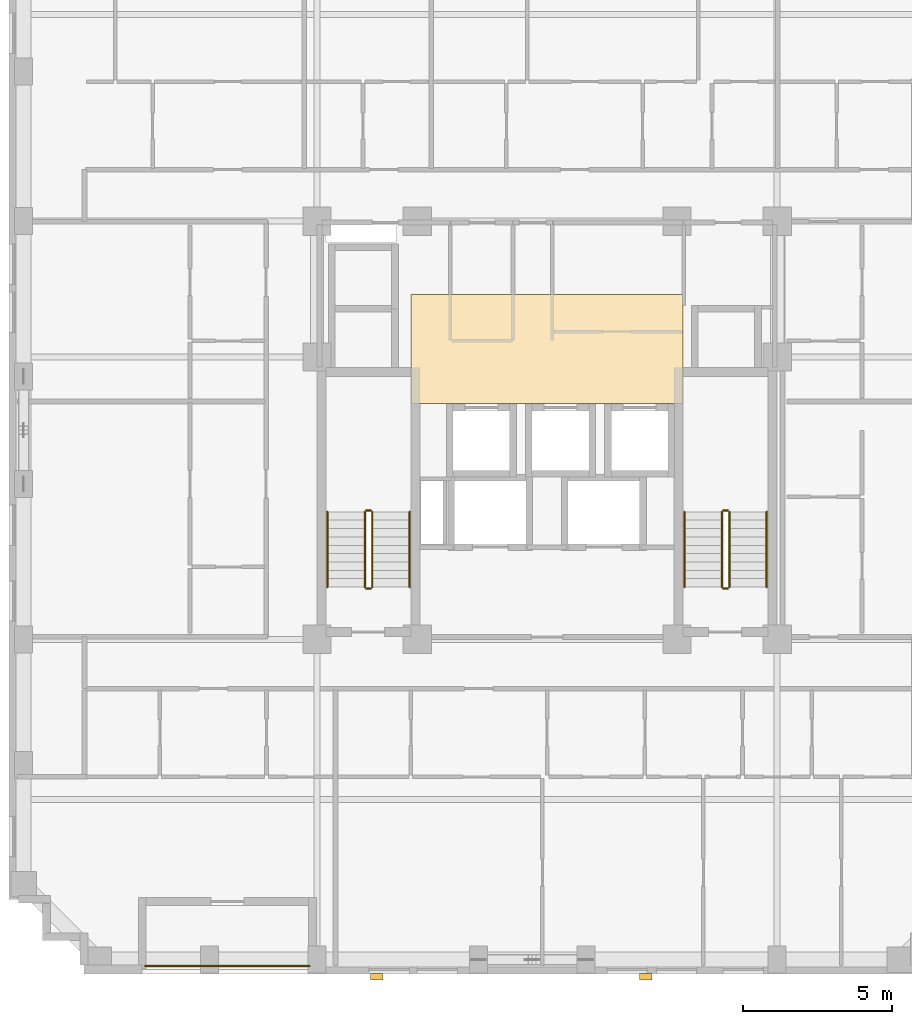
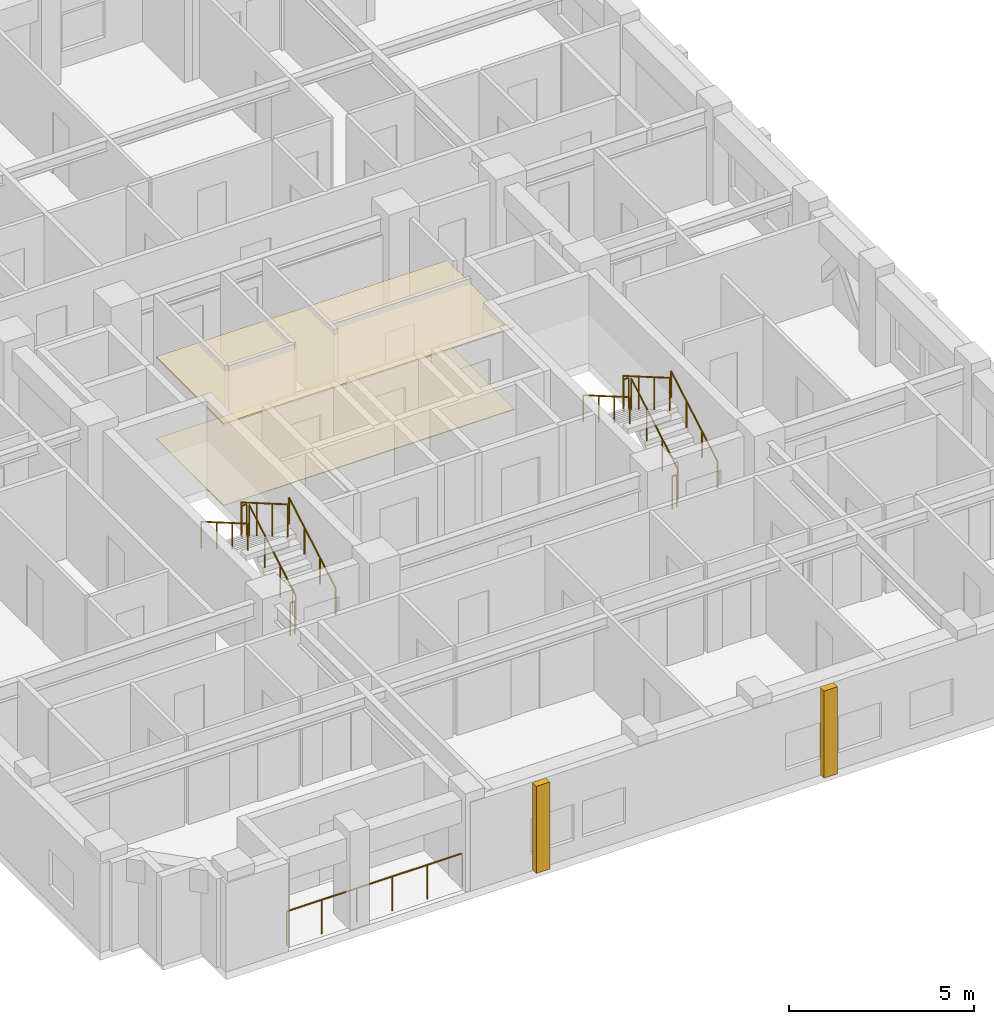
# One storey, part 10 of 11: 13 railings, 4 coverings.
"""IFC4 building model written with IfcOpenShell, lengths in metres."""

from ifc_helpers import new_model, si_unit, derived_unit, direction, frame, origin, origin_2d, place, context, subcontext, project, spatial, polyline, rectangle, circle, outline, extrude, material, layer, layer_set, type_object, element, save


model = new_model("IFC4")

# Units and contexts
model_context = context("Model", 3, precision=1e-05, world=origin(), true_north=direction((0.0, 1.0)))
body_context = subcontext(model_context, "Body", "Model", "MODEL_VIEW")
ifc_project = project(units=[si_unit("LENGTHUNIT", "METRE"), si_unit("AREAUNIT", "SQUARE_METRE"), si_unit("VOLUMEUNIT", "CUBIC_METRE"), si_unit("PLANEANGLEUNIT", "RADIAN"), si_unit("MASSUNIT", "GRAM", prefix="KILO"), derived_unit("THERMALTRANSMITTANCEUNIT", [(si_unit("MASSUNIT", "GRAM", prefix="KILO"), 1), (si_unit("TIMEUNIT", "SECOND"), -3), (si_unit("THERMODYNAMICTEMPERATUREUNIT", "KELVIN"), -1)])], contexts=[model_context])

# Site, building, storey
site_placement = place(None, origin())
site = spatial("IfcSite", under=ifc_project, at=site_placement, CompositionType="ELEMENT")
building_placement = place(site_placement, origin())
building = spatial("IfcBuilding", under=site, at=building_placement, Name="Korrvale Station Residences", CompositionType="ELEMENT")
storey_placement = place(building_placement, frame((0.0, 0.0, 166.64990234375)))
storey = spatial("IfcBuildingStorey", under=building, at=storey_placement, Name="L48", CompositionType="ELEMENT", Elevation=166.64990234375)

# Coverings
ifc_material_1 = material(Name="Perforated acoustic mineral-fibre suspended ceiling", Category="gypsum")
ifc_layer_1 = layer(ifc_material_1, 0.050048828125, Name="Perforated acoustic mineral-fibre suspended ceiling")
ifc_layer_set_1 = layer_set([ifc_layer_1], Name="Perforated acoustic mineral-fibre suspended ceiling")
covering_type_1 = type_object("IfcCoveringType", Name="COV-CLG-AC60", PredefinedType="CEILING", material=ifc_layer_set_1)
covering_1_placement = place(storey_placement, frame((0.0, 0.0, 2.68017578125)))
element("IfcCovering", 1, at=covering_1_placement, inside=storey, type_object=covering_type_1, Name="L48 Elevator Lobby Acoustic Ceiling", PredefinedType="CEILING", context=body_context, shape_type="SweptSolid", body=[
    extrude(outline(polyline([(20.949951171875, 22.89990234375), (30.050048828125, 22.89990234375), (30.050048828125, 26.550048828125), (20.949951171875, 26.550048828125), (20.949951171875, 22.89990234375)])), origin(), (0.0, 0.0, 1.0), 0.0498046875),
])
ifc_material_2 = material(Name="Polished quartz-terrazzo lobby flooring", Category="masonry")
ifc_layer_2 = layer(ifc_material_2, 0.02001953125, Name="Polished quartz-terrazzo lobby flooring")
ifc_layer_set_2 = layer_set([ifc_layer_2], Name="Polished quartz-terrazzo lobby flooring")
covering_type_2 = type_object("IfcCoveringType", Name="COV-FLR-TER20", PredefinedType="FLOORING", material=ifc_layer_set_2)
covering_2_placement = place(storey_placement, origin())
element("IfcCovering", 2, at=covering_2_placement, inside=storey, type_object=covering_type_2, Name="L48 Elevator Lobby Terrazzo Flooring", PredefinedType="FLOORING", context=body_context, shape_type="SweptSolid", body=[
    extrude(outline(polyline([(20.949951171875, 22.89990234375), (30.050048828125, 22.89990234375), (30.050048828125, 26.550048828125), (20.949951171875, 26.550048828125), (20.949951171875, 22.89990234375)])), origin(), (0.0, 0.0, 1.0), 0.02001953125),
])
ifc_material_3 = material(Name="Architectural precast concrete C45/55", Category="concrete")
ifc_layer_3 = layer(ifc_material_3, 0.219970703125, Name="Architectural precast concrete C45/55")
ifc_layer_set_3 = layer_set([ifc_layer_3], Name="Architectural precast concrete C45/55")
covering_type_3 = type_object("IfcCoveringType", Name="COV-PIER-400", PredefinedType="CLADDING", material=ifc_layer_set_3)
for number, where, z_axis, x_axis, name in (
    (3, (28.800048828125, 3.7099609375, 0.025146484375), (0.0, 0.0, 1.0), (1.0, 0.0, 0.0), "L48 Architectural Precast Facade Pier 01"),
    (4, (19.800048828125, 3.7099609375, 0.025146484375), (0.0, 0.0, 1.0), (1.0, 0.0, 0.0), "L48 Architectural Precast Facade Pier 02"),
):
    element("IfcCovering", number, at=place(storey_placement, frame(where, z_axis=z_axis, x_axis=x_axis)), inside=storey, type_object=covering_type_3, Name=name, PredefinedType="CLADDING", context=body_context, shape_type="SweptSolid", body=[
        extrude(rectangle(XDim=0.419921875, YDim=0.219970703125, at=origin_2d()), origin(), (0.0, 0.0, 1.0), 2.8798828125),
    ])

# Railings
ifc_material_4 = material(Name="Powder-coated aluminium picket loggia guard", Category="aluminium")
railing_type_1 = type_object("IfcRailingType", Name="RLG-BAL-1150", PredefinedType="GUARDRAIL", material=ifc_material_4)
railing_1_placement = place(storey_placement, frame((12.050048828125, 4.070068359375, 0.0)))
element("IfcRailing", 5, at=railing_1_placement, inside=storey, type_object=railing_type_1, Name="L48 Recessed Loggia Guardrail BAL-L48-S1", PredefinedType="GUARDRAIL", context=body_context, shape_type="SweptSolid", body=[
    extrude(circle(Radius=0.02392578125, at=origin_2d()), frame((0.0, 0.0, 1.1259765625), z_axis=(1.0, 0.0, 0.0), x_axis=(0.0, 1.0, 0.0)), (0.0, 0.0, 1.0), 5.5),
    extrude(circle(Radius=0.02099609375, at=origin_2d()), origin(), (0.0, 0.0, 1.0), 1.101806640625),
    extrude(circle(Radius=0.02099609375, at=origin_2d()), frame((1.10009765625, 0.0, 0.0)), (0.0, 0.0, 1.0), 1.101806640625),
    extrude(circle(Radius=0.02099609375, at=origin_2d()), frame((2.199951171875, 0.0, 0.0)), (0.0, 0.0, 1.0), 1.101806640625),
    extrude(circle(Radius=0.02099609375, at=origin_2d()), frame((3.300048828125, 0.0, 0.0)), (0.0, 0.0, 1.0), 1.101806640625),
    extrude(circle(Radius=0.02099609375, at=origin_2d()), frame((4.39990234375, 0.0, 0.0)), (0.0, 0.0, 1.0), 1.101806640625),
    extrude(circle(Radius=0.02099609375, at=origin_2d()), frame((5.5, 0.0, 0.0)), (0.0, 0.0, 1.0), 1.101806640625),
])
ifc_material_5 = material(Name="Brushed stainless-steel continuous stair handrail", Category="steel")
railing_type_2 = type_object("IfcRailingType", Name="RLG-SHND-900", PredefinedType="HANDRAIL", material=ifc_material_5)
railing_2_placement = place(storey_placement, frame((20.89990234375, 16.75, 0.16259765625)))
element("IfcRailing", 6, at=railing_2_placement, inside=storey, type_object=railing_type_2, Name="L48 ST-1 stair handrail 1", PredefinedType="HANDRAIL", context=body_context, shape_type="SweptSolid", body=[
    extrude(circle(Radius=0.02392578125, at=origin_2d()), frame((0.0, 0.0, 0.8759765625), z_axis=(0.0, 0.864913338283, 0.50192122615), x_axis=(-1.0, 0.0, 0.0)), (0.0, 0.0, 1.0), 2.91357421875),
    extrude(circle(Radius=0.02099609375, at=origin_2d()), origin(), (0.0, 0.0, 1.0), 0.851806640625),
    extrude(circle(Radius=0.02099609375, at=origin_2d()), frame((0.0, 0.840087890625, 0.487548828125)), (0.0, 0.0, 1.0), 0.851806640625),
    extrude(circle(Radius=0.02099609375, at=origin_2d()), frame((0.0, 1.679931640625, 0.974853515625)), (0.0, 0.0, 1.0), 0.851806640625),
    extrude(circle(Radius=0.02099609375, at=origin_2d()), frame((0.0, 2.52001953125, 1.46240234375)), (0.0, 0.0, 1.0), 0.851806640625),
])
railing_3_placement = place(storey_placement, frame((18.14990234375, 19.27001953125, 1.78759765625)))
element("IfcRailing", 7, at=railing_3_placement, inside=storey, type_object=railing_type_2, Name="L48 ST-1 stair handrail 2", PredefinedType="HANDRAIL", context=body_context, shape_type="SweptSolid", body=[
    extrude(circle(Radius=0.02392578125, at=origin_2d()), frame((0.0, 0.0, 0.8759765625), z_axis=(0.0, -0.864913338283, 0.50192122615), x_axis=(1.0, 0.0, 0.0)), (0.0, 0.0, 1.0), 2.91357421875),
    extrude(circle(Radius=0.02099609375, at=origin_2d()), origin(), (0.0, 0.0, 1.0), 0.851806640625),
    extrude(circle(Radius=0.02099609375, at=origin_2d()), frame((0.0, -0.840087890625, 0.487548828125)), (0.0, 0.0, 1.0), 0.851806640625),
    extrude(circle(Radius=0.02099609375, at=origin_2d()), frame((0.0, -1.679931640625, 0.974853515625)), (0.0, 0.0, 1.0), 0.851806640625),
    extrude(circle(Radius=0.02099609375, at=origin_2d()), frame((0.0, -2.52001953125, 1.46240234375)), (0.0, 0.0, 1.0), 0.851806640625),
])
railing_4_placement = place(storey_placement, frame((32.85009765625, 16.75, 0.16259765625)))
element("IfcRailing", 8, at=railing_4_placement, inside=storey, type_object=railing_type_2, Name="L48 ST-2 stair handrail 1", PredefinedType="HANDRAIL", context=body_context, shape_type="SweptSolid", body=[
    extrude(circle(Radius=0.02392578125, at=origin_2d()), frame((0.0, 0.0, 0.8759765625), z_axis=(0.0, 0.864913338283, 0.50192122615), x_axis=(-1.0, 0.0, 0.0)), (0.0, 0.0, 1.0), 2.91357421875),
    extrude(circle(Radius=0.02099609375, at=origin_2d()), origin(), (0.0, 0.0, 1.0), 0.851806640625),
    extrude(circle(Radius=0.02099609375, at=origin_2d()), frame((0.0, 0.840087890625, 0.487548828125)), (0.0, 0.0, 1.0), 0.851806640625),
    extrude(circle(Radius=0.02099609375, at=origin_2d()), frame((0.0, 1.679931640625, 0.974853515625)), (0.0, 0.0, 1.0), 0.851806640625),
    extrude(circle(Radius=0.02099609375, at=origin_2d()), frame((0.0, 2.52001953125, 1.46240234375)), (0.0, 0.0, 1.0), 0.851806640625),
])
railing_5_placement = place(storey_placement, frame((30.10009765625, 19.27001953125, 1.78759765625)))
element("IfcRailing", 9, at=railing_5_placement, inside=storey, type_object=railing_type_2, Name="L48 ST-2 stair handrail 2", PredefinedType="HANDRAIL", context=body_context, shape_type="SweptSolid", body=[
    extrude(circle(Radius=0.02392578125, at=origin_2d()), frame((0.0, 0.0, 0.8759765625), z_axis=(0.0, -0.864913338283, 0.50192122615), x_axis=(1.0, 0.0, 0.0)), (0.0, 0.0, 1.0), 2.91357421875),
    extrude(circle(Radius=0.02099609375, at=origin_2d()), origin(), (0.0, 0.0, 1.0), 0.851806640625),
    extrude(circle(Radius=0.02099609375, at=origin_2d()), frame((0.0, -0.840087890625, 0.487548828125)), (0.0, 0.0, 1.0), 0.851806640625),
    extrude(circle(Radius=0.02099609375, at=origin_2d()), frame((0.0, -1.679931640625, 0.974853515625)), (0.0, 0.0, 1.0), 0.851806640625),
    extrude(circle(Radius=0.02099609375, at=origin_2d()), frame((0.0, -2.52001953125, 1.46240234375)), (0.0, 0.0, 1.0), 0.851806640625),
])
ifc_material_6 = material(Name="Galvanised painted tubular steel stair guard", Category="steel")
railing_type_3 = type_object("IfcRailingType", Name="RLG-STR-1100", PredefinedType="GUARDRAIL", material=ifc_material_6)
railing_6_placement = place(storey_placement, frame((19.64990234375, 16.75, 0.16259765625)))
element("IfcRailing", 10, at=railing_6_placement, inside=storey, type_object=railing_type_3, Name="L48 ST-1 stair guard 1", PredefinedType="GUARDRAIL", context=body_context, shape_type="SweptSolid", body=[
    extrude(circle(Radius=0.02392578125, at=origin_2d()), frame((0.0, 0.0, 1.076171875), z_axis=(0.0, 0.864913338283, 0.50192122615), x_axis=(-1.0, 0.0, 0.0)), (0.0, 0.0, 1.0), 2.91357421875),
    extrude(circle(Radius=0.02099609375, at=origin_2d()), origin(), (0.0, 0.0, 1.0), 1.052001953125),
    extrude(circle(Radius=0.02099609375, at=origin_2d()), frame((0.0, 0.840087890625, 0.487548828125)), (0.0, 0.0, 1.0), 1.052001953125),
    extrude(circle(Radius=0.02099609375, at=origin_2d()), frame((0.0, 1.679931640625, 0.974853515625)), (0.0, 0.0, 1.0), 1.052001953125),
    extrude(circle(Radius=0.02099609375, at=origin_2d()), frame((0.0, 2.52001953125, 1.46240234375)), (0.0, 0.0, 1.0), 1.052001953125),
])
railing_7_placement = place(storey_placement, frame((19.60009765625, 19.320068359375, 1.625)))
element("IfcRailing", 11, at=railing_7_placement, inside=storey, type_object=railing_type_3, Name="L48 ST-1 stair guard 2", PredefinedType="GUARDRAIL", context=body_context, shape_type="SweptSolid", body=[
    extrude(circle(Radius=0.02392578125, at=origin_2d()), frame((0.0, 0.0, 1.076171875), z_axis=(-1.0, 0.0, 0.0), x_axis=(0.0, -1.0, 0.0)), (0.0, 0.0, 1.0), 0.150146484375),
    extrude(circle(Radius=0.02099609375, at=origin_2d()), origin(), (0.0, 0.0, 1.0), 1.052001953125),
    extrude(circle(Radius=0.02099609375, at=origin_2d()), frame((-0.150146484375, 0.0, 0.0)), (0.0, 0.0, 1.0), 1.052001953125),
])
railing_8_placement = place(storey_placement, frame((19.39990234375, 19.27001953125, 1.78759765625)))
element("IfcRailing", 12, at=railing_8_placement, inside=storey, type_object=railing_type_3, Name="L48 ST-1 stair guard 3", PredefinedType="GUARDRAIL", context=body_context, shape_type="SweptSolid", body=[
    extrude(circle(Radius=0.02392578125, at=origin_2d()), frame((0.0, 0.0, 1.076171875), z_axis=(0.0, -0.864913338283, 0.50192122615), x_axis=(1.0, 0.0, 0.0)), (0.0, 0.0, 1.0), 2.91357421875),
    extrude(circle(Radius=0.02099609375, at=origin_2d()), origin(), (0.0, 0.0, 1.0), 1.052001953125),
    extrude(circle(Radius=0.02099609375, at=origin_2d()), frame((0.0, -0.840087890625, 0.487548828125)), (0.0, 0.0, 1.0), 1.052001953125),
    extrude(circle(Radius=0.02099609375, at=origin_2d()), frame((0.0, -1.679931640625, 0.974853515625)), (0.0, 0.0, 1.0), 1.052001953125),
    extrude(circle(Radius=0.02099609375, at=origin_2d()), frame((0.0, -2.52001953125, 1.46240234375)), (0.0, 0.0, 1.0), 1.052001953125),
])
railing_9_placement = place(storey_placement, frame((19.60009765625, 16.699951171875, 0.0)))
element("IfcRailing", 13, at=railing_9_placement, inside=storey, type_object=railing_type_3, Name="L48 ST-1 stair guard 4", PredefinedType="GUARDRAIL", context=body_context, shape_type="SweptSolid", body=[
    extrude(circle(Radius=0.02392578125, at=origin_2d()), frame((0.0, 0.0, 1.076171875), z_axis=(-1.0, 0.0, 0.0), x_axis=(0.0, -1.0, 0.0)), (0.0, 0.0, 1.0), 0.150146484375),
    extrude(circle(Radius=0.02099609375, at=origin_2d()), origin(), (0.0, 0.0, 1.0), 1.052001953125),
    extrude(circle(Radius=0.02099609375, at=origin_2d()), frame((-0.150146484375, 0.0, 0.0)), (0.0, 0.0, 1.0), 1.052001953125),
])
railing_10_placement = place(storey_placement, frame((31.60009765625, 16.75, 0.16259765625)))
element("IfcRailing", 14, at=railing_10_placement, inside=storey, type_object=railing_type_3, Name="L48 ST-2 stair guard 1", PredefinedType="GUARDRAIL", context=body_context, shape_type="SweptSolid", body=[
    extrude(circle(Radius=0.02392578125, at=origin_2d()), frame((0.0, 0.0, 1.076171875), z_axis=(0.0, 0.864913338283, 0.50192122615), x_axis=(-1.0, 0.0, 0.0)), (0.0, 0.0, 1.0), 2.91357421875),
    extrude(circle(Radius=0.02099609375, at=origin_2d()), origin(), (0.0, 0.0, 1.0), 1.052001953125),
    extrude(circle(Radius=0.02099609375, at=origin_2d()), frame((0.0, 0.840087890625, 0.487548828125)), (0.0, 0.0, 1.0), 1.052001953125),
    extrude(circle(Radius=0.02099609375, at=origin_2d()), frame((0.0, 1.679931640625, 0.974853515625)), (0.0, 0.0, 1.0), 1.052001953125),
    extrude(circle(Radius=0.02099609375, at=origin_2d()), frame((0.0, 2.52001953125, 1.46240234375)), (0.0, 0.0, 1.0), 1.052001953125),
])
railing_11_placement = place(storey_placement, frame((31.550048828125, 19.320068359375, 1.625)))
element("IfcRailing", 15, at=railing_11_placement, inside=storey, type_object=railing_type_3, Name="L48 ST-2 stair guard 2", PredefinedType="GUARDRAIL", context=body_context, shape_type="SweptSolid", body=[
    extrude(circle(Radius=0.02392578125, at=origin_2d()), frame((0.0, 0.0, 1.076171875), z_axis=(-1.0, 0.0, 0.0), x_axis=(0.0, -1.0, 0.0)), (0.0, 0.0, 1.0), 0.150146484375),
    extrude(circle(Radius=0.02099609375, at=origin_2d()), origin(), (0.0, 0.0, 1.0), 1.052001953125),
    extrude(circle(Radius=0.02099609375, at=origin_2d()), frame((-0.150146484375, 0.0, 0.0)), (0.0, 0.0, 1.0), 1.052001953125),
])
railing_12_placement = place(storey_placement, frame((31.35009765625, 19.27001953125, 1.78759765625)))
element("IfcRailing", 16, at=railing_12_placement, inside=storey, type_object=railing_type_3, Name="L48 ST-2 stair guard 3", PredefinedType="GUARDRAIL", context=body_context, shape_type="SweptSolid", body=[
    extrude(circle(Radius=0.02392578125, at=origin_2d()), frame((0.0, 0.0, 1.076171875), z_axis=(0.0, -0.864913338283, 0.50192122615), x_axis=(1.0, 0.0, 0.0)), (0.0, 0.0, 1.0), 2.91357421875),
    extrude(circle(Radius=0.02099609375, at=origin_2d()), origin(), (0.0, 0.0, 1.0), 1.052001953125),
    extrude(circle(Radius=0.02099609375, at=origin_2d()), frame((0.0, -0.840087890625, 0.487548828125)), (0.0, 0.0, 1.0), 1.052001953125),
    extrude(circle(Radius=0.02099609375, at=origin_2d()), frame((0.0, -1.679931640625, 0.974853515625)), (0.0, 0.0, 1.0), 1.052001953125),
    extrude(circle(Radius=0.02099609375, at=origin_2d()), frame((0.0, -2.52001953125, 1.46240234375)), (0.0, 0.0, 1.0), 1.052001953125),
])
railing_13_placement = place(storey_placement, frame((31.550048828125, 16.699951171875, 0.0)))
element("IfcRailing", 17, at=railing_13_placement, inside=storey, type_object=railing_type_3, Name="L48 ST-2 stair guard 4", PredefinedType="GUARDRAIL", context=body_context, shape_type="SweptSolid", body=[
    extrude(circle(Radius=0.02392578125, at=origin_2d()), frame((0.0, 0.0, 1.076171875), z_axis=(-1.0, 0.0, 0.0), x_axis=(0.0, -1.0, 0.0)), (0.0, 0.0, 1.0), 0.150146484375),
    extrude(circle(Radius=0.02099609375, at=origin_2d()), origin(), (0.0, 0.0, 1.0), 1.052001953125),
    extrude(circle(Radius=0.02099609375, at=origin_2d()), frame((-0.150146484375, 0.0, 0.0)), (0.0, 0.0, 1.0), 1.052001953125),
])

save(model, "model.ifc")
